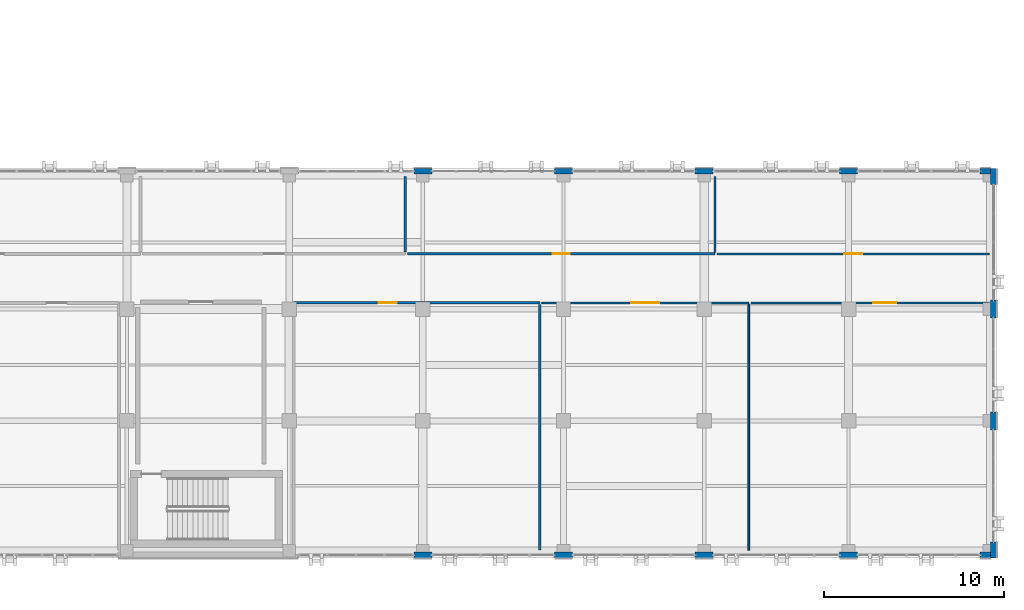
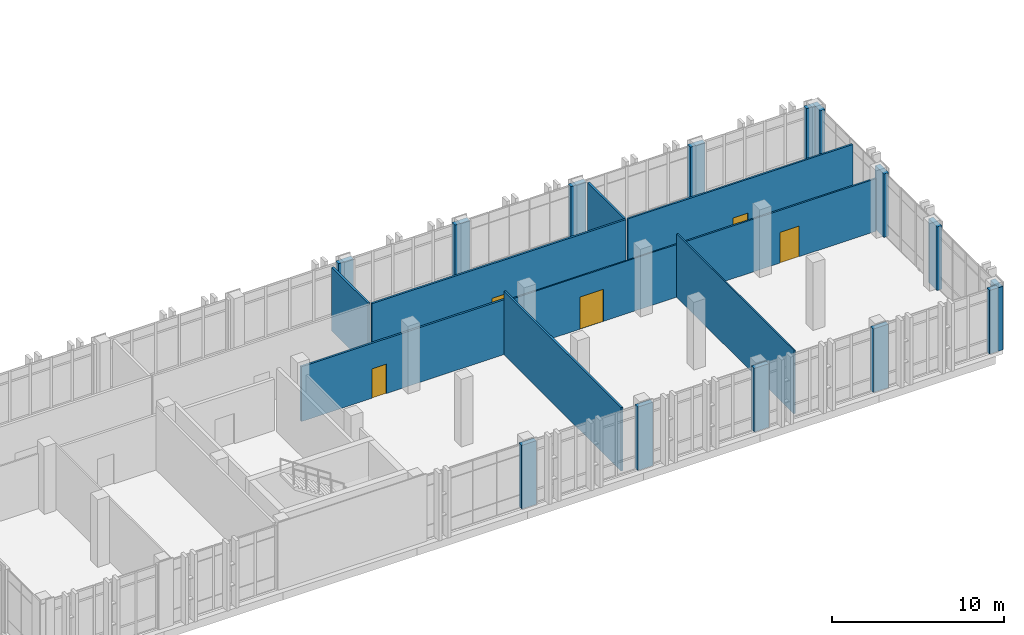
# One storey, part 159 of 189: 23 walls, 5 doors, 5 openings.
"""IFC4 building model written with IfcOpenShell, lengths in metres."""

from ifc_helpers import new_model, si_unit, direction, frame, frame_2d, origin, place, context, subcontext, project, spatial, rectangle, extrude, material, layer, layer_set, type_object, element, fill, save


model = new_model("IFC4")

# Units and contexts
model_context = context("Model", 3, precision=1e-05, world=origin(), true_north=direction((0.0, 1.0)))
body_context = subcontext(model_context, "Body", "Model", "MODEL_VIEW")
ifc_project = project(units=[si_unit("LENGTHUNIT", "METRE"), si_unit("AREAUNIT", "SQUARE_METRE"), si_unit("VOLUMEUNIT", "CUBIC_METRE"), si_unit("PLANEANGLEUNIT", "RADIAN"), si_unit("MASSUNIT", "GRAM", prefix="KILO")], contexts=[model_context])

# Site, building, storey
site_placement = place(None, origin())
site = spatial("IfcSite", under=ifc_project, at=site_placement, CompositionType="ELEMENT")
building_placement = place(site_placement, origin())
building = spatial("IfcBuilding", under=site, at=building_placement, Name="Qalavern Law Courts", CompositionType="ELEMENT")
storey_placement = place(building_placement, frame((0.0, 0.0, 5.39990234375)))
storey = spatial("IfcBuildingStorey", under=building, at=storey_placement, Name="L01", CompositionType="ELEMENT", Elevation=5.39990234375)

# Walls
ifc_material_1 = material(Name="Concrete C40/50", Category="concrete")
ifc_layer_1 = layer(ifc_material_1, 0.324951171875)
ifc_layer_set_1 = layer_set([ifc_layer_1], Name="Concrete C40/50")
wall_type_1 = type_object("IfcWallType", Name="ENV-EW-325", PredefinedType="SOLIDWALL", material=ifc_layer_set_1)
for number, where, z_axis, x_axis, name in (
    (1, (133.699951171875, 1.16259765625, 0.0), (0.0, 0.0, 1.0), (1.0, 0.0, 0.0), "V6 exterior pier wall L01 south 4"),
    (2, (141.5, 1.16259765625, 0.0), (0.0, 0.0, 1.0), (1.0, 0.0, 0.0), "V6 exterior pier wall L01 south 5"),
    (3, (149.300048828125, 1.16259765625, 0.0), (0.0, 0.0, 1.0), (1.0, 0.0, 0.0), "V6 exterior pier wall L01 south 6"),
    (4, (157.300048828125, 1.16259765625, 0.0), (0.0, 0.0, 1.0), (1.0, 0.0, 0.0), "V6 exterior pier wall L01 south 7"),
):
    element("IfcWall", number, at=place(storey_placement, frame(where, z_axis=z_axis, x_axis=x_axis)), inside=storey, type_object=wall_type_1, Name=name, PredefinedType="SOLIDWALL", context=body_context, shape_type="SweptSolid", body=[
        extrude(rectangle(XDim=1.0, YDim=0.324951171875, at=frame_2d((0.5, 0.0))), origin(), (0.0, 0.0, 1.0), 4.510009765625),
    ])
wall_1_placement = place(storey_placement, frame((165.10009765625, 1.16259765625, 0.0), z_axis=(0.0, 0.0, 1.0), x_axis=(1.0, 0.0, 0.0)))
element("IfcWall", 5, at=wall_1_placement, inside=storey, type_object=wall_type_1, Name="V6 exterior pier wall L01 south 8", PredefinedType="SOLIDWALL", context=body_context, shape_type="SweptSolid", body=[
    extrude(rectangle(XDim=0.579833984375, YDim=0.324951171875, at=frame_2d((0.2900390625, 0.0))), origin(), (0.0, 0.0, 1.0), 4.510009765625),
])
wall_2_placement = place(storey_placement, frame((165.83740234375, 1.0, 0.0), z_axis=(0.0, 0.0, 1.0), x_axis=(0.0, 1.0, 0.0)))
element("IfcWall", 6, at=wall_2_placement, inside=storey, type_object=wall_type_1, Name="V6 exterior pier wall L01 east 1", PredefinedType="SOLIDWALL", context=body_context, shape_type="SweptSolid", body=[
    extrude(rectangle(XDim=0.89990234375, YDim=0.324951171875, at=frame_2d((0.449951171875, 0.0))), origin(), (0.0, 0.0, 1.0), 4.510009765625),
])
for number, where, z_axis, x_axis, name in (
    (7, (165.83740234375, 8.10009765625, 0.0), (0.0, 0.0, 1.0), (0.0, 1.0, 0.0), "V6 exterior pier wall L01 east 2"),
    (8, (165.83740234375, 14.300048828125, 0.0), (0.0, 0.0, 1.0), (0.0, 1.0, 0.0), "V6 exterior pier wall L01 east 3"),
):
    element("IfcWall", number, at=place(storey_placement, frame(where, z_axis=z_axis, x_axis=x_axis)), inside=storey, type_object=wall_type_1, Name=name, PredefinedType="SOLIDWALL", context=body_context, shape_type="SweptSolid", body=[
        extrude(rectangle(XDim=1.0, YDim=0.324951171875, at=frame_2d((0.5, 0.0))), origin(), (0.0, 0.0, 1.0), 4.510009765625),
    ])
wall_3_placement = place(storey_placement, frame((165.83740234375, 21.699951171875, 0.0), z_axis=(0.0, 0.0, 1.0), x_axis=(0.0, 1.0, 0.0)))
element("IfcWall", 9, at=wall_3_placement, inside=storey, type_object=wall_type_1, Name="V6 exterior pier wall L01 east 4", PredefinedType="SOLIDWALL", context=body_context, shape_type="SweptSolid", body=[
    extrude(rectangle(XDim=0.900146484375, YDim=0.324951171875, at=frame_2d((0.4501953125, 0.0))), origin(), (0.0, 0.0, 1.0), 4.510009765625),
])
wall_4_placement = place(storey_placement, frame((165.679931640625, 22.4375, 0.0), z_axis=(0.0, 0.0, 1.0), x_axis=(-1.0, 0.0, 0.0)))
element("IfcWall", 10, at=wall_4_placement, inside=storey, type_object=wall_type_1, Name="V6 exterior pier wall L01 north 1", PredefinedType="SOLIDWALL", context=body_context, shape_type="SweptSolid", body=[
    extrude(rectangle(XDim=0.579833984375, YDim=0.324951171875, at=frame_2d((0.2900390625, 0.0))), origin(), (0.0, 0.0, 1.0), 4.510009765625),
])
for number, where, z_axis, x_axis, name in (
    (11, (158.300048828125, 22.4375, 0.0), (0.0, 0.0, 1.0), (-1.0, 0.0, 0.0), "V6 exterior pier wall L01 north 2"),
    (12, (150.300048828125, 22.4375, 0.0), (0.0, 0.0, 1.0), (-1.0, 0.0, 0.0), "V6 exterior pier wall L01 north 3"),
    (13, (142.5, 22.4375, 0.0), (0.0, 0.0, 1.0), (-1.0, 0.0, 0.0), "V6 exterior pier wall L01 north 4"),
    (14, (134.699951171875, 22.4375, 0.0), (0.0, 0.0, 1.0), (-1.0, 0.0, 0.0), "V6 exterior pier wall L01 north 5"),
):
    element("IfcWall", number, at=place(storey_placement, frame(where, z_axis=z_axis, x_axis=x_axis)), inside=storey, type_object=wall_type_1, Name=name, PredefinedType="SOLIDWALL", context=body_context, shape_type="SweptSolid", body=[
        extrude(rectangle(XDim=1.0, YDim=0.324951171875, at=frame_2d((0.5, 0.0))), origin(), (0.0, 0.0, 1.0), 4.510009765625),
    ])

# Wall, opening, door
ifc_material_2 = material(Name="Gypsum shaft/chase partition")
ifc_layer_2 = layer(ifc_material_2, 0.092041015625)
ifc_layer_set_2 = layer_set([ifc_layer_2], Name="Gypsum shaft/chase partition")
wall_type_2 = type_object("IfcWallType", Name="INT-PW-092", PredefinedType="PARTITIONING", material=ifc_layer_set_2)
wall_5_placement = place(storey_placement, frame((140.804931640625, 15.139892578125, 0.0), z_axis=(0.0, 0.0, 1.0), x_axis=(1.0, 0.0, 0.0)))
wall_5 = element("IfcWall", 15, at=wall_5_placement, inside=storey, type_object=wall_type_2, Name="Arbitration Hearing Courtroom corridor partition L01", PredefinedType="PARTITIONING", context=body_context, shape_type="SweptSolid", body=[
    extrude(rectangle(XDim=11.463134765625, YDim=0.092041015625, at=frame_2d((5.7314453125, 0.0))), origin(), (0.0, 0.0, 1.0), 3.739990234375),
])
opening_1_placement = place(wall_5_placement, frame((4.95654296875, 0.0, 0.0)))
opening_1 = element("IfcOpeningElement", 16, at=opening_1_placement, cuts=wall_5, Name="Opening L01-D423", PredefinedType="OPENING", context=body_context, shape_type="SweptSolid", body=[
    extrude(rectangle(XDim=1.550048828125, YDim=2.280029296875, at=frame_2d((0.77490234375, 1.14013671875))), frame((0.0, 0.06103515625, 0.0), z_axis=(0.0, -1.0, 0.0), x_axis=(1.0, 0.0, 0.0)), (0.0, 0.0, 1.0), 0.121826171875),
])
ifc_material_3 = material(Name="Acoustic oak double Civil Courtroom door")
door_type_1 = type_object("IfcDoorType", Name="INT-ID-1550x2280", OperationType="DOUBLE_DOOR_SINGLE_SWING", PredefinedType="DOOR", material=ifc_material_3)
door_1_placement = place(opening_1_placement, frame((1.550048828125, 0.0, 0.0), z_axis=(0.0, 0.0, 1.0), x_axis=(-1.0, 0.0, 0.0)))
door_1 = element("IfcDoor", 17, at=door_1_placement, inside=storey, type_object=door_type_1, Name="Arbitration Hearing Courtroom door L01", OperationType="DOUBLE_DOOR_SINGLE_SWING", OverallHeight=2.280029296875, OverallWidth=1.550048828125, PredefinedType="DOOR", context=body_context, shape_type="SweptSolid", body=[
    extrude(rectangle(XDim=1.550048828125, YDim=2.280029296875, at=frame_2d((0.77490234375, 1.14013671875))), frame((0.0, 0.02490234375, 0.0), z_axis=(0.0, -1.0, 0.0), x_axis=(1.0, 0.0, 0.0)), (0.0, 0.0, 1.0), 0.050048828125),
])
fill(opening_1, door_1)

# Wall
wall_6_placement = place(storey_placement, frame((152.26806640625, 1.43994140625, 0.0), z_axis=(0.0, 0.0, 1.0), x_axis=(0.0, 1.0, 0.0)))
element("IfcWall", 18, at=wall_6_placement, inside=storey, type_object=wall_type_2, Name="Arbitration Hearing Courtroom cross partition L01 east", PredefinedType="PARTITIONING", context=body_context, shape_type="SweptSolid", body=[
    extrude(rectangle(XDim=13.634033203125, YDim=0.092041015625, at=frame_2d((6.81689453125, 0.0))), origin(), (0.0, 0.0, 1.0), 4.510009765625),
])

# Wall, opening, door
ifc_material_4 = material(Name="Gypsum stud partition")
ifc_layer_3 = layer(ifc_material_4, 0.112060546875)
ifc_layer_set_3 = layer_set([ifc_layer_3], Name="Gypsum stud partition")
wall_type_3 = type_object("IfcWallType", Name="INT-PW-112", PredefinedType="PARTITIONING", material=ifc_layer_set_3)
wall_7_placement = place(storey_placement, frame((152.387939453125, 15.139892578125, 0.0), z_axis=(0.0, 0.0, 1.0), x_axis=(1.0, 0.0, 0.0)))
wall_7 = element("IfcWall", 19, at=wall_7_placement, inside=storey, type_object=wall_type_3, Name="Witness Waiting Room corridor partition L01", PredefinedType="PARTITIONING", context=body_context, shape_type="SweptSolid", body=[
    extrude(rectangle(XDim=13.232177734375, YDim=0.112060546875, at=frame_2d((6.6162109375, 0.0))), origin(), (0.0, 0.0, 1.0), 3.739990234375),
])
opening_2_placement = place(wall_7_placement, frame((6.77587890625, 0.0, 0.0)))
opening_2 = element("IfcOpeningElement", 20, at=opening_2_placement, cuts=wall_7, Name="Opening L01-D424", PredefinedType="OPENING", context=body_context, shape_type="SweptSolid", body=[
    extrude(rectangle(XDim=1.280029296875, YDim=2.179931640625, at=frame_2d((0.64013671875, 1.08984375))), frame((0.0, 0.07080078125, 0.0), z_axis=(0.0, -1.0, 0.0), x_axis=(1.0, 0.0, 0.0)), (0.0, 0.0, 1.0), 0.141845703125),
])
ifc_material_5 = material(Name="Wide oak Judicial Conference door")
door_type_2 = type_object("IfcDoorType", Name="INT-ID-1280x2180", OperationType="NOTDEFINED", PredefinedType="DOOR", material=ifc_material_5)
door_2_placement = place(opening_2_placement, frame((1.280029296875, 0.0, 0.0), z_axis=(0.0, 0.0, 1.0), x_axis=(-1.0, 0.0, 0.0)))
door_2 = element("IfcDoor", 21, at=door_2_placement, inside=storey, type_object=door_type_2, Name="Witness Waiting Room door L01", OperationType="SINGLE_SWING_RIGHT", OverallHeight=2.179931640625, OverallWidth=1.280029296875, PredefinedType="DOOR", context=body_context, shape_type="SweptSolid", body=[
    extrude(rectangle(XDim=1.280029296875, YDim=2.179931640625, at=frame_2d((0.64013671875, 1.08984375))), frame((0.0, 0.02490234375, 0.0), z_axis=(0.0, -1.0, 0.0), x_axis=(1.0, 0.0, 0.0)), (0.0, 0.0, 1.0), 0.050048828125),
])
fill(opening_2, door_2)

ifc_layer_4 = layer(ifc_material_4, 0.1220703125)
ifc_layer_set_4 = layer_set([ifc_layer_4], Name="Gypsum stud partition")
wall_type_4 = type_object("IfcWallType", Name="INT-PW-122", PredefinedType="PARTITIONING", material=ifc_layer_set_4)
wall_8_placement = place(storey_placement, frame((150.52001953125, 17.860107421875, 0.0), z_axis=(0.0, 0.0, 1.0), x_axis=(1.0, 0.0, 0.0)))
wall_8 = element("IfcWall", 22, at=wall_8_placement, inside=storey, type_object=wall_type_4, Name="Community Mediation Suite corridor partition L01", PredefinedType="PARTITIONING", context=body_context, shape_type="SweptSolid", body=[
    extrude(rectangle(XDim=15.10009765625, YDim=0.1220703125, at=frame_2d((7.550048828125, 0.0))), origin(), (0.0, 0.0, 1.0), 4.510009765625),
])
opening_3_placement = place(wall_8_placement, frame((7.050048828125, 0.0, 0.0)))
opening_3 = element("IfcOpeningElement", 23, at=opening_3_placement, cuts=wall_8, Name="Opening L01-D430", PredefinedType="OPENING", context=body_context, shape_type="SweptSolid", body=[
    extrude(rectangle(XDim=1.0, YDim=2.10009765625, at=frame_2d((0.5, 1.050048828125))), frame((0.0, 0.075927734375, 0.0), z_axis=(0.0, -1.0, 0.0), x_axis=(1.0, 0.0, 0.0)), (0.0, 0.0, 1.0), 0.15185546875),
])
ifc_material_6 = material(Name="Timber Judicial Clerks' Office door", Category="wood")
door_type_3 = type_object("IfcDoorType", Name="INT-ID-1000x2100", OperationType="NOTDEFINED", PredefinedType="DOOR", material=ifc_material_6)
door_3_placement = place(opening_3_placement, origin())
door_3 = element("IfcDoor", 24, at=door_3_placement, inside=storey, type_object=door_type_3, Name="Community Mediation Suite door L01", OperationType="SINGLE_SWING_LEFT", OverallHeight=2.10009765625, OverallWidth=1.0, PredefinedType="DOOR", context=body_context, shape_type="SweptSolid", body=[
    extrude(rectangle(XDim=1.0, YDim=2.10009765625, at=frame_2d((0.5, 1.050048828125))), frame((0.0, 0.02490234375, 0.0), z_axis=(0.0, -1.0, 0.0), x_axis=(1.0, 0.0, 0.0)), (0.0, 0.0, 1.0), 0.050048828125),
])
fill(opening_3, door_3)

ifc_layer_5 = layer(ifc_material_4, 0.132080078125)
ifc_layer_set_5 = layer_set([ifc_layer_5], Name="Gypsum stud partition")
wall_type_5 = type_object("IfcWallType", Name="INT-PW-132", PredefinedType="PARTITIONING", material=ifc_layer_set_5)
wall_9_placement = place(storey_placement, frame((127.0400390625, 15.139892578125, 0.0), z_axis=(0.0, 0.0, 1.0), x_axis=(1.0, 0.0, 0.0)))
wall_9 = element("IfcWall", 25, at=wall_9_placement, inside=storey, type_object=wall_type_5, Name="Community Mediation Suite corridor partition L01", PredefinedType="PARTITIONING", context=body_context, shape_type="SweptSolid", body=[
    extrude(rectangle(XDim=13.64501953125, YDim=0.132080078125, at=frame_2d((6.822509765625, 0.0))), origin(), (0.0, 0.0, 1.0), 3.89013671875),
])
opening_4_placement = place(wall_9_placement, frame((4.732421875, 0.0, 0.0)))
opening_4 = element("IfcOpeningElement", 26, at=opening_4_placement, cuts=wall_9, Name="Opening L01-D422", PredefinedType="OPENING", context=body_context, shape_type="SweptSolid", body=[
    extrude(rectangle(XDim=0.97998046875, YDim=2.090087890625, at=frame_2d((0.489990234375, 1.044921875))), frame((0.0, 0.0810546875, 0.0), z_axis=(0.0, -1.0, 0.0), x_axis=(1.0, 0.0, 0.0)), (0.0, 0.0, 1.0), 0.161865234375),
])
ifc_material_7 = material(Name="Timber Legal Research Office door", Category="wood")
door_type_4 = type_object("IfcDoorType", Name="INT-ID-980x2090", OperationType="NOTDEFINED", PredefinedType="DOOR", material=ifc_material_7)
door_4_placement = place(opening_4_placement, frame((0.97998046875, 0.0, 0.0), z_axis=(0.0, 0.0, 1.0), x_axis=(-1.0, 0.0, 0.0)))
door_4 = element("IfcDoor", 27, at=door_4_placement, inside=storey, type_object=door_type_4, Name="Community Mediation Suite door L01", OperationType="SINGLE_SWING_LEFT", OverallHeight=2.090087890625, OverallWidth=0.97998046875, PredefinedType="DOOR", context=body_context, shape_type="SweptSolid", body=[
    extrude(rectangle(XDim=0.97998046875, YDim=2.090087890625, at=frame_2d((0.489990234375, 1.044921875))), frame((0.0, 0.02490234375, 0.0), z_axis=(0.0, -1.0, 0.0), x_axis=(1.0, 0.0, 0.0)), (0.0, 0.0, 1.0), 0.050048828125),
])
fill(opening_4, door_4)

# Wall
wall_10_placement = place(storey_placement, frame((140.68505859375, 1.43994140625, 0.0), z_axis=(0.0, 0.0, 1.0), x_axis=(0.0, 1.0, 0.0)))
element("IfcWall", 28, at=wall_10_placement, inside=storey, type_object=wall_type_5, Name="Community Mediation Suite cross partition L01 east", PredefinedType="PARTITIONING", context=body_context, shape_type="SweptSolid", body=[
    extrude(rectangle(XDim=13.614013671875, YDim=0.132080078125, at=frame_2d((6.80712890625, 0.0))), origin(), (0.0, 0.0, 1.0), 4.510009765625),
])

# Wall, opening, door
wall_11_placement = place(storey_placement, frame((133.35791015625, 17.860107421875, 0.0), z_axis=(0.0, 0.0, 1.0), x_axis=(1.0, 0.0, 0.0)))
wall_11 = element("IfcWall", 29, at=wall_11_placement, inside=storey, type_object=wall_type_5, Name="Public WC corridor partition L01", PredefinedType="PARTITIONING", context=body_context, shape_type="SweptSolid", body=[
    extrude(rectangle(XDim=17.0419921875, YDim=0.132080078125, at=frame_2d((8.52099609375, 0.0))), origin(), (0.0, 0.0, 1.0), 4.510009765625),
])
opening_5_placement = place(wall_11_placement, frame((8.051025390625, 0.0, 0.0)))
opening_5 = element("IfcOpeningElement", 30, at=opening_5_placement, cuts=wall_11, Name="Opening L01-D429", PredefinedType="OPENING", context=body_context, shape_type="SweptSolid", body=[
    extrude(rectangle(XDim=0.93994140625, YDim=2.070068359375, at=frame_2d((0.469970703125, 1.03515625))), frame((0.0, 0.0810546875, 0.0), z_axis=(0.0, -1.0, 0.0), x_axis=(1.0, 0.0, 0.0)), (0.0, 0.0, 1.0), 0.161865234375),
])
ifc_material_8 = material(Name="Accessible WC outward-clear door")
door_type_5 = type_object("IfcDoorType", Name="INT-ID-940x2070", OperationType="NOTDEFINED", PredefinedType="DOOR", material=ifc_material_8)
door_5_placement = place(opening_5_placement, origin())
door_5 = element("IfcDoor", 31, at=door_5_placement, inside=storey, type_object=door_type_5, Name="Public WC door L01", OperationType="SINGLE_SWING_RIGHT", OverallHeight=2.070068359375, OverallWidth=0.93994140625, PredefinedType="DOOR", context=body_context, shape_type="SweptSolid", body=[
    extrude(rectangle(XDim=0.93994140625, YDim=2.070068359375, at=frame_2d((0.469970703125, 1.03515625))), frame((0.0, 0.02490234375, 0.0), z_axis=(0.0, -1.0, 0.0), x_axis=(1.0, 0.0, 0.0)), (0.0, 0.0, 1.0), 0.050048828125),
])
fill(opening_5, door_5)

# Walls
wall_12_placement = place(storey_placement, frame((150.39990234375, 17.946044921875, 0.0), z_axis=(0.0, 0.0, 1.0), x_axis=(0.0, 1.0, 0.0)))
element("IfcWall", 32, at=wall_12_placement, inside=storey, type_object=wall_type_5, Name="Public WC cross partition L01 east", PredefinedType="PARTITIONING", context=body_context, shape_type="SweptSolid", body=[
    extrude(rectangle(XDim=4.2138671875, YDim=0.132080078125, at=frame_2d((2.10693359375, 0.0))), origin(), (0.0, 0.0, 1.0), 4.510009765625),
])
ifc_layer_6 = layer(ifc_material_4, 0.14208984375)
ifc_layer_set_6 = layer_set([ifc_layer_6], Name="Gypsum stud partition")
wall_type_6 = type_object("IfcWallType", Name="INT-PW-142", PredefinedType="PARTITIONING", material=ifc_layer_set_6)
wall_13_placement = place(storey_placement, frame((133.238037109375, 17.950927734375, 0.0), z_axis=(0.0, 0.0, 1.0), x_axis=(0.0, 1.0, 0.0)))
element("IfcWall", 33, at=wall_13_placement, inside=storey, type_object=wall_type_6, Name="Witness Waiting Room cross partition L01 east", PredefinedType="PARTITIONING", context=body_context, shape_type="SweptSolid", body=[
    extrude(rectangle(XDim=4.208984375, YDim=0.14208984375, at=frame_2d((2.1044921875, 0.0))), origin(), (0.0, 0.0, 1.0), 4.510009765625),
])

save(model, "model.ifc")
